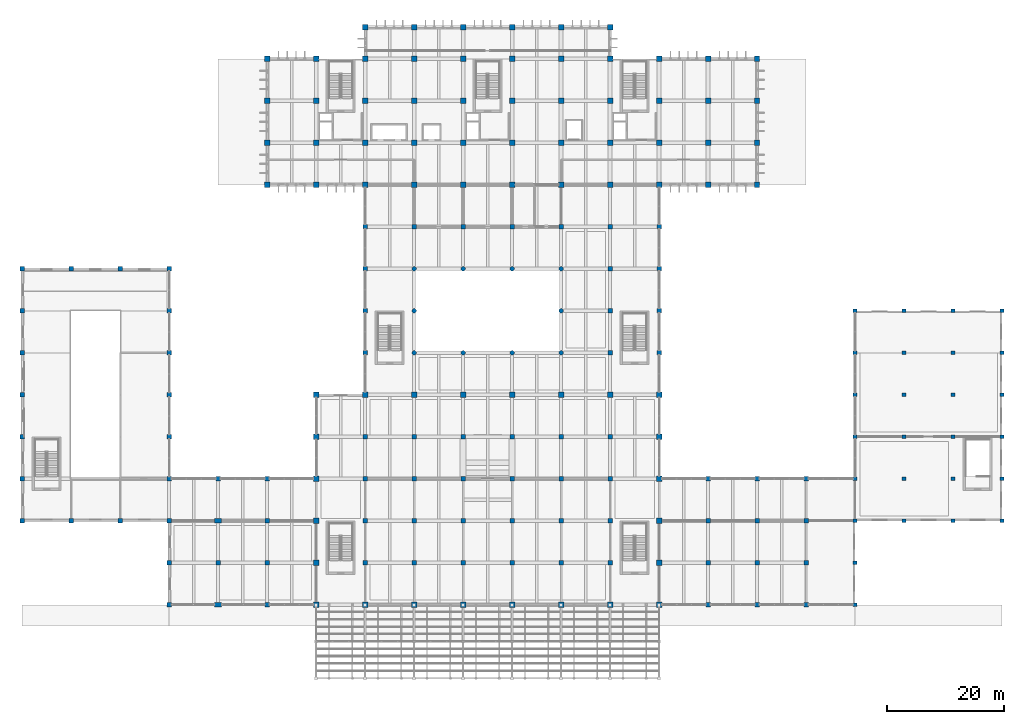
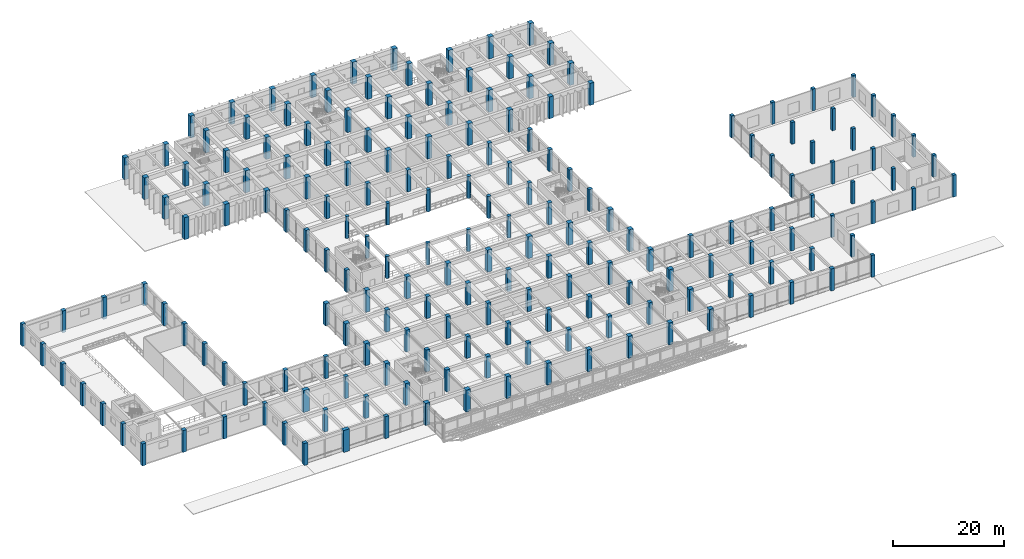
# One storey, part 1 of 52: 190 columns.
"""IFC4 building model written with IfcOpenShell, lengths in metres."""

from ifc_helpers import new_model, si_unit, direction, frame, origin, origin_2d, place, context, subcontext, project, spatial, rectangle, circle, extrude, material, material_profile, profile_set, type_object, element, save


model = new_model("IFC4")

# Units and contexts
model_context = context("Model", 3, precision=1e-05, world=origin(), true_north=direction((0.0, 1.0)))
body_context = subcontext(model_context, "Body", "Model", "MODEL_VIEW")
ifc_project = project(units=[si_unit("LENGTHUNIT", "METRE"), si_unit("AREAUNIT", "SQUARE_METRE"), si_unit("VOLUMEUNIT", "CUBIC_METRE"), si_unit("PLANEANGLEUNIT", "RADIAN"), si_unit("MASSUNIT", "GRAM", prefix="KILO")], contexts=[model_context])

# Site, building, storey
site_placement = place(None, origin())
site = spatial("IfcSite", under=ifc_project, at=site_placement, CompositionType="ELEMENT")
building_placement = place(site_placement, origin())
building = spatial("IfcBuilding", under=site, at=building_placement, Name="Kenerak Square Central Library", CompositionType="ELEMENT")
storey_placement = place(building_placement, frame((0.0, 0.0, 4.800048828125)))
storey = spatial("IfcBuildingStorey", under=building, at=storey_placement, Name="L01", CompositionType="ELEMENT", Elevation=4.800048828125)

# Columns
ifc_material_1 = material(Name="Concrete C40/50", Category="concrete")
ifc_material_profile_1 = material_profile(ifc_material_1, circle(Radius=0.375, at=origin_2d()), Name="RC D750")
ifc_profile_set_1 = profile_set([ifc_material_profile_1], Name="Concrete C40/50")
column_type_1 = type_object("IfcColumnType", Name="Atrium Column C-13 RC D750 C40/50", PredefinedType="COLUMN", material=ifc_profile_set_1)
for number, where, z_axis, x_axis, name in (
    (1, (75.199951171875, 60.0, 0.0), (0.0, 0.0, 1.0), (1.0, 0.0, 0.0), "Column C-13 L01 9/J"),
    (2, (75.199951171875, 67.199951171875, 0.0), (0.0, 0.0, 1.0), (1.0, 0.0, 0.0), "Column C-13 L01 9/K"),
    (3, (75.199951171875, 74.39990234375, 0.0), (0.0, 0.0, 1.0), (1.0, 0.0, 0.0), "Column C-13 L01 9/L"),
    (4, (83.60009765625, 60.0, 0.0), (0.0, 0.0, 1.0), (1.0, 0.0, 0.0), "Column C-13 L01 10/J"),
    (5, (83.60009765625, 74.39990234375, 0.0), (0.0, 0.0, 1.0), (1.0, 0.0, 0.0), "Column C-13 L01 10/L"),
    (6, (92.0, 60.0, 0.0), (0.0, 0.0, 1.0), (1.0, 0.0, 0.0), "Column C-13 L01 11/J"),
    (7, (92.0, 74.39990234375, 0.0), (0.0, 0.0, 1.0), (1.0, 0.0, 0.0), "Column C-13 L01 11/L"),
    (8, (100.39990234375, 60.0, 0.0), (0.0, 0.0, 1.0), (1.0, 0.0, 0.0), "Column C-13 L01 12/J"),
    (9, (100.39990234375, 67.199951171875, 0.0), (0.0, 0.0, 1.0), (1.0, 0.0, 0.0), "Column C-13 L01 12/K"),
    (10, (100.39990234375, 74.39990234375, 0.0), (0.0, 0.0, 1.0), (1.0, 0.0, 0.0), "Column C-13 L01 12/L"),
):
    element("IfcColumn", number, at=place(storey_placement, frame(where, z_axis=z_axis, x_axis=x_axis)), inside=storey, type_object=column_type_1, Name=name, PredefinedType="COLUMN", context=body_context, shape_type="SweptSolid", body=[
        extrude(circle(Radius=0.375, at=origin_2d()), origin(), (0.0, 0.0, 1.0), 4.800048828125),
    ])
ifc_material_2 = material(Name="Concrete C45/55", Category="concrete")
ifc_material_profile_2 = material_profile(ifc_material_2, rectangle(XDim=0.89990234375, YDim=0.89990234375, at=origin_2d()), Name="RC 900x900")
ifc_profile_set_2 = profile_set([ifc_material_profile_2], Name="Concrete C45/55")
column_type_2 = type_object("IfcColumnType", Name="Column C-02 RC 900x900 C45/55", PredefinedType="COLUMN", material=ifc_profile_set_2)
for number, where, z_axis, x_axis, name in (
    (11, (50.0, 88.800048828125, 0.0), (0.0, 0.0, 1.0), (1.0, 0.0, 0.0), "Column C-02 L01 6/N"),
    (12, (50.0, 96.0, 0.0), (0.0, 0.0, 1.0), (1.0, 0.0, 0.0), "Column C-02 L01 6/P"),
    (13, (50.0, 103.199951171875, 0.0), (0.0, 0.0, 1.0), (1.0, 0.0, 0.0), "Column C-02 L01 6/Q"),
    (14, (50.0, 110.39990234375, 0.0), (0.0, 0.0, 1.0), (1.0, 0.0, 0.0), "Column C-02 L01 6/R"),
    (15, (58.39990234375, 16.800048828125, 0.0), (0.0, 0.0, 1.0), (1.0, 0.0, 0.0), "Column C-02 L01 7/C"),
    (16, (58.39990234375, 24.0, 0.0), (0.0, 0.0, 1.0), (1.0, 0.0, 0.0), "Column C-02 L01 7/D"),
    (17, (58.39990234375, 31.199951171875, 0.0), (0.0, 0.0, 1.0), (1.0, 0.0, 0.0), "Column C-02 L01 7/E"),
    (18, (58.39990234375, 38.39990234375, 0.0), (0.0, 0.0, 1.0), (1.0, 0.0, 0.0), "Column C-02 L01 7/F"),
    (19, (58.39990234375, 45.60009765625, 0.0), (0.0, 0.0, 1.0), (1.0, 0.0, 0.0), "Column C-02 L01 7/G"),
    (20, (58.39990234375, 52.800048828125, 0.0), (0.0, 0.0, 1.0), (1.0, 0.0, 0.0), "Column C-02 L01 7/H"),
    (21, (58.39990234375, 88.800048828125, 0.0), (0.0, 0.0, 1.0), (1.0, 0.0, 0.0), "Column C-02 L01 7/N"),
    (22, (58.39990234375, 96.0, 0.0), (0.0, 0.0, 1.0), (1.0, 0.0, 0.0), "Column C-02 L01 7/P"),
    (23, (58.39990234375, 103.199951171875, 0.0), (0.0, 0.0, 1.0), (1.0, 0.0, 0.0), "Column C-02 L01 7/Q"),
    (24, (58.39990234375, 110.39990234375, 0.0), (0.0, 0.0, 1.0), (1.0, 0.0, 0.0), "Column C-02 L01 7/R"),
    (25, (66.800048828125, 16.800048828125, 0.0), (0.0, 0.0, 1.0), (1.0, 0.0, 0.0), "Column C-02 L01 8/C"),
    (26, (66.800048828125, 52.800048828125, 0.0), (0.0, 0.0, 1.0), (1.0, 0.0, 0.0), "Column C-02 L01 8/H"),
    (27, (66.800048828125, 88.800048828125, 0.0), (0.0, 0.0, 1.0), (1.0, 0.0, 0.0), "Column C-02 L01 8/N"),
    (28, (66.800048828125, 96.0, 0.0), (0.0, 0.0, 1.0), (1.0, 0.0, 0.0), "Column C-02 L01 8/P"),
    (29, (66.800048828125, 103.199951171875, 0.0), (0.0, 0.0, 1.0), (1.0, 0.0, 0.0), "Column C-02 L01 8/Q"),
    (30, (66.800048828125, 110.39990234375, 0.0), (0.0, 0.0, 1.0), (1.0, 0.0, 0.0), "Column C-02 L01 8/R"),
    (31, (66.800048828125, 115.800048828125, 0.0), (0.0, 0.0, 1.0), (1.0, 0.0, 0.0), "Column C-02 L01 8/S"),
    (32, (75.199951171875, 16.800048828125, 0.0), (0.0, 0.0, 1.0), (1.0, 0.0, 0.0), "Column C-02 L01 9/C"),
    (33, (75.199951171875, 52.800048828125, 0.0), (0.0, 0.0, 1.0), (1.0, 0.0, 0.0), "Column C-02 L01 9/H"),
    (34, (75.199951171875, 88.800048828125, 0.0), (0.0, 0.0, 1.0), (1.0, 0.0, 0.0), "Column C-02 L01 9/N"),
    (35, (75.199951171875, 96.0, 0.0), (0.0, 0.0, 1.0), (1.0, 0.0, 0.0), "Column C-02 L01 9/P"),
    (36, (75.199951171875, 103.199951171875, 0.0), (0.0, 0.0, 1.0), (1.0, 0.0, 0.0), "Column C-02 L01 9/Q"),
    (37, (75.199951171875, 110.39990234375, 0.0), (0.0, 0.0, 1.0), (1.0, 0.0, 0.0), "Column C-02 L01 9/R"),
    (38, (75.199951171875, 115.800048828125, 0.0), (0.0, 0.0, 1.0), (1.0, 0.0, 0.0), "Column C-02 L01 9/S"),
    (39, (83.60009765625, 16.800048828125, 0.0), (0.0, 0.0, 1.0), (1.0, 0.0, 0.0), "Column C-02 L01 10/C"),
    (40, (83.60009765625, 52.800048828125, 0.0), (0.0, 0.0, 1.0), (1.0, 0.0, 0.0), "Column C-02 L01 10/H"),
    (41, (83.60009765625, 88.800048828125, 0.0), (0.0, 0.0, 1.0), (1.0, 0.0, 0.0), "Column C-02 L01 10/N"),
    (42, (83.60009765625, 96.0, 0.0), (0.0, 0.0, 1.0), (1.0, 0.0, 0.0), "Column C-02 L01 10/P"),
    (43, (83.60009765625, 103.199951171875, 0.0), (0.0, 0.0, 1.0), (1.0, 0.0, 0.0), "Column C-02 L01 10/Q"),
    (44, (83.60009765625, 110.39990234375, 0.0), (0.0, 0.0, 1.0), (1.0, 0.0, 0.0), "Column C-02 L01 10/R"),
    (45, (83.60009765625, 115.800048828125, 0.0), (0.0, 0.0, 1.0), (1.0, 0.0, 0.0), "Column C-02 L01 10/S"),
    (46, (92.0, 16.800048828125, 0.0), (0.0, 0.0, 1.0), (1.0, 0.0, 0.0), "Column C-02 L01 11/C"),
    (47, (92.0, 52.800048828125, 0.0), (0.0, 0.0, 1.0), (1.0, 0.0, 0.0), "Column C-02 L01 11/H"),
    (48, (92.0, 88.800048828125, 0.0), (0.0, 0.0, 1.0), (1.0, 0.0, 0.0), "Column C-02 L01 11/N"),
    (49, (92.0, 96.0, 0.0), (0.0, 0.0, 1.0), (1.0, 0.0, 0.0), "Column C-02 L01 11/P"),
    (50, (92.0, 103.199951171875, 0.0), (0.0, 0.0, 1.0), (1.0, 0.0, 0.0), "Column C-02 L01 11/Q"),
    (51, (92.0, 110.39990234375, 0.0), (0.0, 0.0, 1.0), (1.0, 0.0, 0.0), "Column C-02 L01 11/R"),
    (52, (92.0, 115.800048828125, 0.0), (0.0, 0.0, 1.0), (1.0, 0.0, 0.0), "Column C-02 L01 11/S"),
    (53, (100.39990234375, 16.800048828125, 0.0), (0.0, 0.0, 1.0), (1.0, 0.0, 0.0), "Column C-02 L01 12/C"),
    (54, (100.39990234375, 52.800048828125, 0.0), (0.0, 0.0, 1.0), (1.0, 0.0, 0.0), "Column C-02 L01 12/H"),
    (55, (100.39990234375, 88.800048828125, 0.0), (0.0, 0.0, 1.0), (1.0, 0.0, 0.0), "Column C-02 L01 12/N"),
    (56, (100.39990234375, 96.0, 0.0), (0.0, 0.0, 1.0), (1.0, 0.0, 0.0), "Column C-02 L01 12/P"),
    (57, (100.39990234375, 103.199951171875, 0.0), (0.0, 0.0, 1.0), (1.0, 0.0, 0.0), "Column C-02 L01 12/Q"),
    (58, (100.39990234375, 110.39990234375, 0.0), (0.0, 0.0, 1.0), (1.0, 0.0, 0.0), "Column C-02 L01 12/R"),
    (59, (100.39990234375, 115.800048828125, 0.0), (0.0, 0.0, 1.0), (1.0, 0.0, 0.0), "Column C-02 L01 12/S"),
    (60, (108.800048828125, 16.800048828125, 0.0), (0.0, 0.0, 1.0), (1.0, 0.0, 0.0), "Column C-02 L01 13/C"),
    (61, (108.800048828125, 52.800048828125, 0.0), (0.0, 0.0, 1.0), (1.0, 0.0, 0.0), "Column C-02 L01 13/H"),
    (62, (108.800048828125, 88.800048828125, 0.0), (0.0, 0.0, 1.0), (1.0, 0.0, 0.0), "Column C-02 L01 13/N"),
    (63, (108.800048828125, 96.0, 0.0), (0.0, 0.0, 1.0), (1.0, 0.0, 0.0), "Column C-02 L01 13/P"),
    (64, (108.800048828125, 103.199951171875, 0.0), (0.0, 0.0, 1.0), (1.0, 0.0, 0.0), "Column C-02 L01 13/Q"),
    (65, (108.800048828125, 110.39990234375, 0.0), (0.0, 0.0, 1.0), (1.0, 0.0, 0.0), "Column C-02 L01 13/R"),
    (66, (108.800048828125, 115.800048828125, 0.0), (0.0, 0.0, 1.0), (1.0, 0.0, 0.0), "Column C-02 L01 13/S"),
    (67, (117.199951171875, 16.800048828125, 0.0), (0.0, 0.0, 1.0), (1.0, 0.0, 0.0), "Column C-02 L01 14/C"),
    (68, (117.199951171875, 24.0, 0.0), (0.0, 0.0, 1.0), (1.0, 0.0, 0.0), "Column C-02 L01 14/D"),
    (69, (117.199951171875, 31.199951171875, 0.0), (0.0, 0.0, 1.0), (1.0, 0.0, 0.0), "Column C-02 L01 14/E"),
    (70, (117.199951171875, 38.39990234375, 0.0), (0.0, 0.0, 1.0), (1.0, 0.0, 0.0), "Column C-02 L01 14/F"),
    (71, (117.199951171875, 45.60009765625, 0.0), (0.0, 0.0, 1.0), (1.0, 0.0, 0.0), "Column C-02 L01 14/G"),
    (72, (117.199951171875, 52.800048828125, 0.0), (0.0, 0.0, 1.0), (1.0, 0.0, 0.0), "Column C-02 L01 14/H"),
    (73, (117.199951171875, 88.800048828125, 0.0), (0.0, 0.0, 1.0), (1.0, 0.0, 0.0), "Column C-02 L01 14/N"),
    (74, (117.199951171875, 96.0, 0.0), (0.0, 0.0, 1.0), (1.0, 0.0, 0.0), "Column C-02 L01 14/P"),
    (75, (117.199951171875, 103.199951171875, 0.0), (0.0, 0.0, 1.0), (1.0, 0.0, 0.0), "Column C-02 L01 14/Q"),
    (76, (117.199951171875, 110.39990234375, 0.0), (0.0, 0.0, 1.0), (1.0, 0.0, 0.0), "Column C-02 L01 14/R"),
    (77, (125.60009765625, 88.800048828125, 0.0), (0.0, 0.0, 1.0), (1.0, 0.0, 0.0), "Column C-02 L01 15/N"),
    (78, (125.60009765625, 96.0, 0.0), (0.0, 0.0, 1.0), (1.0, 0.0, 0.0), "Column C-02 L01 15/P"),
    (79, (125.60009765625, 103.199951171875, 0.0), (0.0, 0.0, 1.0), (1.0, 0.0, 0.0), "Column C-02 L01 15/Q"),
    (80, (125.60009765625, 110.39990234375, 0.0), (0.0, 0.0, 1.0), (1.0, 0.0, 0.0), "Column C-02 L01 15/R"),
    (81, (134.0, 88.800048828125, 0.0), (0.0, 0.0, 1.0), (1.0, 0.0, 0.0), "Column C-02 L01 16/N"),
    (82, (134.0, 96.0, 0.0), (0.0, 0.0, 1.0), (1.0, 0.0, 0.0), "Column C-02 L01 16/P"),
    (83, (134.0, 103.199951171875, 0.0), (0.0, 0.0, 1.0), (1.0, 0.0, 0.0), "Column C-02 L01 16/Q"),
    (84, (134.0, 110.39990234375, 0.0), (0.0, 0.0, 1.0), (1.0, 0.0, 0.0), "Column C-02 L01 16/R"),
):
    element("IfcColumn", number, at=place(storey_placement, frame(where, z_axis=z_axis, x_axis=x_axis)), inside=storey, type_object=column_type_2, Name=name, PredefinedType="COLUMN", context=body_context, shape_type="SweptSolid", body=[
        extrude(rectangle(XDim=0.89990234375, YDim=0.89990234375, at=origin_2d()), origin(), (0.0, 0.0, 1.0), 4.800048828125),
    ])
ifc_material_profile_3 = material_profile(ifc_material_2, rectangle(XDim=0.800048828125, YDim=0.800048828125, at=origin_2d()), Name="RC 800x800")
ifc_profile_set_3 = profile_set([ifc_material_profile_3], Name="Concrete C45/55")
column_type_3 = type_object("IfcColumnType", Name="Column C-04 RC 800x800 C45/55", PredefinedType="COLUMN", material=ifc_profile_set_3)
for number, where, z_axis, x_axis, name in (
    (85, (66.800048828125, 24.0, 0.0), (0.0, 0.0, 1.0), (1.0, 0.0, 0.0), "Column C-04 L01 8/D"),
    (86, (66.800048828125, 31.199951171875, 0.0), (0.0, 0.0, 1.0), (1.0, 0.0, 0.0), "Column C-04 L01 8/E"),
    (87, (66.800048828125, 38.39990234375, 0.0), (0.0, 0.0, 1.0), (1.0, 0.0, 0.0), "Column C-04 L01 8/F"),
    (88, (66.800048828125, 45.60009765625, 0.0), (0.0, 0.0, 1.0), (1.0, 0.0, 0.0), "Column C-04 L01 8/G"),
    (89, (75.199951171875, 24.0, 0.0), (0.0, 0.0, 1.0), (1.0, 0.0, 0.0), "Column C-04 L01 9/D"),
    (90, (75.199951171875, 31.199951171875, 0.0), (0.0, 0.0, 1.0), (1.0, 0.0, 0.0), "Column C-04 L01 9/E"),
    (91, (75.199951171875, 38.39990234375, 0.0), (0.0, 0.0, 1.0), (1.0, 0.0, 0.0), "Column C-04 L01 9/F"),
    (92, (75.199951171875, 45.60009765625, 0.0), (0.0, 0.0, 1.0), (1.0, 0.0, 0.0), "Column C-04 L01 9/G"),
    (93, (83.60009765625, 24.0, 0.0), (0.0, 0.0, 1.0), (1.0, 0.0, 0.0), "Column C-04 L01 10/D"),
    (94, (83.60009765625, 31.199951171875, 0.0), (0.0, 0.0, 1.0), (1.0, 0.0, 0.0), "Column C-04 L01 10/E"),
    (95, (83.60009765625, 38.39990234375, 0.0), (0.0, 0.0, 1.0), (1.0, 0.0, 0.0), "Column C-04 L01 10/F"),
    (96, (83.60009765625, 45.60009765625, 0.0), (0.0, 0.0, 1.0), (1.0, 0.0, 0.0), "Column C-04 L01 10/G"),
    (97, (92.0, 24.0, 0.0), (0.0, 0.0, 1.0), (1.0, 0.0, 0.0), "Column C-04 L01 11/D"),
    (98, (92.0, 31.199951171875, 0.0), (0.0, 0.0, 1.0), (1.0, 0.0, 0.0), "Column C-04 L01 11/E"),
    (99, (92.0, 38.39990234375, 0.0), (0.0, 0.0, 1.0), (1.0, 0.0, 0.0), "Column C-04 L01 11/F"),
    (100, (92.0, 45.60009765625, 0.0), (0.0, 0.0, 1.0), (1.0, 0.0, 0.0), "Column C-04 L01 11/G"),
    (101, (100.39990234375, 24.0, 0.0), (0.0, 0.0, 1.0), (1.0, 0.0, 0.0), "Column C-04 L01 12/D"),
    (102, (100.39990234375, 31.199951171875, 0.0), (0.0, 0.0, 1.0), (1.0, 0.0, 0.0), "Column C-04 L01 12/E"),
    (103, (100.39990234375, 38.39990234375, 0.0), (0.0, 0.0, 1.0), (1.0, 0.0, 0.0), "Column C-04 L01 12/F"),
    (104, (100.39990234375, 45.60009765625, 0.0), (0.0, 0.0, 1.0), (1.0, 0.0, 0.0), "Column C-04 L01 12/G"),
    (105, (108.800048828125, 24.0, 0.0), (0.0, 0.0, 1.0), (1.0, 0.0, 0.0), "Column C-04 L01 13/D"),
    (106, (108.800048828125, 31.199951171875, 0.0), (0.0, 0.0, 1.0), (1.0, 0.0, 0.0), "Column C-04 L01 13/E"),
    (107, (108.800048828125, 38.39990234375, 0.0), (0.0, 0.0, 1.0), (1.0, 0.0, 0.0), "Column C-04 L01 13/F"),
    (108, (108.800048828125, 45.60009765625, 0.0), (0.0, 0.0, 1.0), (1.0, 0.0, 0.0), "Column C-04 L01 13/G"),
):
    element("IfcColumn", number, at=place(storey_placement, frame(where, z_axis=z_axis, x_axis=x_axis)), inside=storey, type_object=column_type_3, Name=name, PredefinedType="COLUMN", context=body_context, shape_type="SweptSolid", body=[
        extrude(rectangle(XDim=0.800048828125, YDim=0.800048828125, at=origin_2d()), origin(), (0.0, 0.0, 1.0), 4.800048828125),
    ])
ifc_material_profile_4 = material_profile(ifc_material_1, rectangle(XDim=0.75, YDim=0.75, at=origin_2d()), Name="RC 750x750")
ifc_profile_set_4 = profile_set([ifc_material_profile_4], Name="Concrete C40/50")
column_type_4 = type_object("IfcColumnType", Name="Column C-05 RC 750x750 C40/50", PredefinedType="COLUMN", material=ifc_profile_set_4)
for number, where, z_axis, x_axis, name in (
    (109, (8.0, 31.199951171875, 0.0), (0.0, 0.0, 1.0), (1.0, 0.0, 0.0), "Column C-05 L01 1/E"),
    (110, (8.0, 38.39990234375, 0.0), (0.0, 0.0, 1.0), (1.0, 0.0, 0.0), "Column C-05 L01 1/F"),
    (111, (8.0, 45.60009765625, 0.0), (0.0, 0.0, 1.0), (1.0, 0.0, 0.0), "Column C-05 L01 1/G"),
    (112, (8.0, 52.800048828125, 0.0), (0.0, 0.0, 1.0), (1.0, 0.0, 0.0), "Column C-05 L01 1/H"),
    (113, (8.0, 60.0, 0.0), (0.0, 0.0, 1.0), (1.0, 0.0, 0.0), "Column C-05 L01 1/J"),
    (114, (8.0, 67.199951171875, 0.0), (0.0, 0.0, 1.0), (1.0, 0.0, 0.0), "Column C-05 L01 1/K"),
    (115, (8.0, 74.39990234375, 0.0), (0.0, 0.0, 1.0), (1.0, 0.0, 0.0), "Column C-05 L01 1/L"),
    (116, (16.39990234375, 31.199951171875, 0.0), (0.0, 0.0, 1.0), (1.0, 0.0, 0.0), "Column C-05 L01 2/E"),
    (117, (16.39990234375, 74.39990234375, 0.0), (0.0, 0.0, 1.0), (1.0, 0.0, 0.0), "Column C-05 L01 2/L"),
    (118, (24.800048828125, 31.199951171875, 0.0), (0.0, 0.0, 1.0), (1.0, 0.0, 0.0), "Column C-05 L01 3/E"),
    (119, (24.800048828125, 74.39990234375, 0.0), (0.0, 0.0, 1.0), (1.0, 0.0, 0.0), "Column C-05 L01 3/L"),
    (120, (33.199951171875, 16.800048828125, 0.0), (0.0, 0.0, 1.0), (1.0, 0.0, 0.0), "Column C-05 L01 4/C"),
    (121, (33.199951171875, 24.0, 0.0), (0.0, 0.0, 1.0), (1.0, 0.0, 0.0), "Column C-05 L01 4/D"),
    (122, (33.199951171875, 31.199951171875, 0.0), (0.0, 0.0, 1.0), (1.0, 0.0, 0.0), "Column C-05 L01 4/E"),
    (123, (33.199951171875, 38.39990234375, 0.0), (0.0, 0.0, 1.0), (1.0, 0.0, 0.0), "Column C-05 L01 4/F"),
    (124, (33.199951171875, 45.60009765625, 0.0), (0.0, 0.0, 1.0), (1.0, 0.0, 0.0), "Column C-05 L01 4/G"),
    (125, (33.199951171875, 52.800048828125, 0.0), (0.0, 0.0, 1.0), (1.0, 0.0, 0.0), "Column C-05 L01 4/H"),
    (126, (33.199951171875, 60.0, 0.0), (0.0, 0.0, 1.0), (1.0, 0.0, 0.0), "Column C-05 L01 4/J"),
    (127, (33.199951171875, 67.199951171875, 0.0), (0.0, 0.0, 1.0), (1.0, 0.0, 0.0), "Column C-05 L01 4/K"),
    (128, (33.199951171875, 74.39990234375, 0.0), (0.0, 0.0, 1.0), (1.0, 0.0, 0.0), "Column C-05 L01 4/L"),
    (129, (41.60009765625, 24.0, 0.0), (0.0, 0.0, 1.0), (1.0, 0.0, 0.0), "Column C-05 L01 5/D"),
    (130, (41.60009765625, 38.39990234375, 0.0), (0.0, 0.0, 1.0), (1.0, 0.0, 0.0), "Column C-05 L01 5/F"),
    (131, (50.0, 16.800048828125, 0.0), (0.0, 0.0, 1.0), (1.0, 0.0, 0.0), "Column C-05 L01 6/C"),
    (132, (50.0, 24.0, 0.0), (0.0, 0.0, 1.0), (1.0, 0.0, 0.0), "Column C-05 L01 6/D"),
    (133, (50.0, 31.199951171875, 0.0), (0.0, 0.0, 1.0), (1.0, 0.0, 0.0), "Column C-05 L01 6/E"),
    (134, (50.0, 38.39990234375, 0.0), (0.0, 0.0, 1.0), (1.0, 0.0, 0.0), "Column C-05 L01 6/F"),
    (135, (66.800048828125, 60.0, 0.0), (0.0, 0.0, 1.0), (1.0, 0.0, 0.0), "Column C-05 L01 8/J"),
    (136, (66.800048828125, 67.199951171875, 0.0), (0.0, 0.0, 1.0), (1.0, 0.0, 0.0), "Column C-05 L01 8/K"),
    (137, (66.800048828125, 74.39990234375, 0.0), (0.0, 0.0, 1.0), (1.0, 0.0, 0.0), "Column C-05 L01 8/L"),
    (138, (66.800048828125, 81.60009765625, 0.0), (0.0, 0.0, 1.0), (1.0, 0.0, 0.0), "Column C-05 L01 8/M"),
    (139, (75.199951171875, 81.60009765625, 0.0), (0.0, 0.0, 1.0), (1.0, 0.0, 0.0), "Column C-05 L01 9/M"),
    (140, (83.60009765625, 81.60009765625, 0.0), (0.0, 0.0, 1.0), (1.0, 0.0, 0.0), "Column C-05 L01 10/M"),
    (141, (92.0, 81.60009765625, 0.0), (0.0, 0.0, 1.0), (1.0, 0.0, 0.0), "Column C-05 L01 11/M"),
    (142, (100.39990234375, 81.60009765625, 0.0), (0.0, 0.0, 1.0), (1.0, 0.0, 0.0), "Column C-05 L01 12/M"),
    (143, (108.800048828125, 60.0, 0.0), (0.0, 0.0, 1.0), (1.0, 0.0, 0.0), "Column C-05 L01 13/J"),
    (144, (108.800048828125, 67.199951171875, 0.0), (0.0, 0.0, 1.0), (1.0, 0.0, 0.0), "Column C-05 L01 13/K"),
    (145, (108.800048828125, 74.39990234375, 0.0), (0.0, 0.0, 1.0), (1.0, 0.0, 0.0), "Column C-05 L01 13/L"),
    (146, (108.800048828125, 81.60009765625, 0.0), (0.0, 0.0, 1.0), (1.0, 0.0, 0.0), "Column C-05 L01 13/M"),
    (147, (117.199951171875, 60.0, 0.0), (0.0, 0.0, 1.0), (1.0, 0.0, 0.0), "Column C-05 L01 14/J"),
    (148, (117.199951171875, 67.199951171875, 0.0), (0.0, 0.0, 1.0), (1.0, 0.0, 0.0), "Column C-05 L01 14/K"),
    (149, (117.199951171875, 74.39990234375, 0.0), (0.0, 0.0, 1.0), (1.0, 0.0, 0.0), "Column C-05 L01 14/L"),
    (150, (117.199951171875, 81.60009765625, 0.0), (0.0, 0.0, 1.0), (1.0, 0.0, 0.0), "Column C-05 L01 14/M"),
    (151, (125.60009765625, 16.800048828125, 0.0), (0.0, 0.0, 1.0), (1.0, 0.0, 0.0), "Column C-05 L01 15/C"),
    (152, (125.60009765625, 24.0, 0.0), (0.0, 0.0, 1.0), (1.0, 0.0, 0.0), "Column C-05 L01 15/D"),
    (153, (125.60009765625, 31.199951171875, 0.0), (0.0, 0.0, 1.0), (1.0, 0.0, 0.0), "Column C-05 L01 15/E"),
    (154, (125.60009765625, 38.39990234375, 0.0), (0.0, 0.0, 1.0), (1.0, 0.0, 0.0), "Column C-05 L01 15/F"),
    (155, (134.0, 16.800048828125, 0.0), (0.0, 0.0, 1.0), (1.0, 0.0, 0.0), "Column C-05 L01 16/C"),
    (156, (134.0, 24.0, 0.0), (0.0, 0.0, 1.0), (1.0, 0.0, 0.0), "Column C-05 L01 16/D"),
    (157, (134.0, 31.199951171875, 0.0), (0.0, 0.0, 1.0), (1.0, 0.0, 0.0), "Column C-05 L01 16/E"),
    (158, (134.0, 38.39990234375, 0.0), (0.0, 0.0, 1.0), (1.0, 0.0, 0.0), "Column C-05 L01 16/F"),
    (159, (142.39990234375, 16.800048828125, 0.0), (0.0, 0.0, 1.0), (1.0, 0.0, 0.0), "Column C-05 L01 17/C"),
    (160, (142.39990234375, 24.0, 0.0), (0.0, 0.0, 1.0), (1.0, 0.0, 0.0), "Column C-05 L01 17/D"),
    (161, (142.39990234375, 31.199951171875, 0.0), (0.0, 0.0, 1.0), (1.0, 0.0, 0.0), "Column C-05 L01 17/E"),
    (162, (142.39990234375, 38.39990234375, 0.0), (0.0, 0.0, 1.0), (1.0, 0.0, 0.0), "Column C-05 L01 17/F"),
):
    element("IfcColumn", number, at=place(storey_placement, frame(where, z_axis=z_axis, x_axis=x_axis)), inside=storey, type_object=column_type_4, Name=name, PredefinedType="COLUMN", context=body_context, shape_type="SweptSolid", body=[
        extrude(rectangle(XDim=0.75, YDim=0.75, at=origin_2d()), origin(), (0.0, 0.0, 1.0), 4.800048828125),
    ])
ifc_material_profile_5 = material_profile(ifc_material_1, rectangle(XDim=0.64990234375, YDim=0.64990234375, at=origin_2d()), Name="RC 650x650")
ifc_profile_set_5 = profile_set([ifc_material_profile_5], Name="Concrete C40/50")
column_type_5 = type_object("IfcColumnType", Name="Column C-07 RC 650x650 C40/50", PredefinedType="COLUMN", material=ifc_profile_set_5)
for number, where, z_axis, x_axis, name in (
    (163, (150.800048828125, 16.800048828125, 0.0), (0.0, 0.0, 1.0), (1.0, 0.0, 0.0), "Column C-07 L01 18/C"),
    (164, (150.800048828125, 24.0, 0.0), (0.0, 0.0, 1.0), (1.0, 0.0, 0.0), "Column C-07 L01 18/D"),
    (165, (150.800048828125, 31.199951171875, 0.0), (0.0, 0.0, 1.0), (1.0, 0.0, 0.0), "Column C-07 L01 18/E"),
    (166, (150.800048828125, 38.39990234375, 0.0), (0.0, 0.0, 1.0), (1.0, 0.0, 0.0), "Column C-07 L01 18/F"),
    (167, (150.800048828125, 45.60009765625, 0.0), (0.0, 0.0, 1.0), (1.0, 0.0, 0.0), "Column C-07 L01 18/G"),
    (168, (150.800048828125, 52.800048828125, 0.0), (0.0, 0.0, 1.0), (1.0, 0.0, 0.0), "Column C-07 L01 18/H"),
    (169, (150.800048828125, 60.0, 0.0), (0.0, 0.0, 1.0), (1.0, 0.0, 0.0), "Column C-07 L01 18/J"),
    (170, (150.800048828125, 67.199951171875, 0.0), (0.0, 0.0, 1.0), (1.0, 0.0, 0.0), "Column C-07 L01 18/K"),
    (171, (159.199951171875, 31.199951171875, 0.0), (0.0, 0.0, 1.0), (1.0, 0.0, 0.0), "Column C-07 L01 19/E"),
    (172, (159.199951171875, 38.39990234375, 0.0), (0.0, 0.0, 1.0), (1.0, 0.0, 0.0), "Column C-07 L01 19/F"),
    (173, (159.199951171875, 45.60009765625, 0.0), (0.0, 0.0, 1.0), (1.0, 0.0, 0.0), "Column C-07 L01 19/G"),
    (174, (159.199951171875, 52.800048828125, 0.0), (0.0, 0.0, 1.0), (1.0, 0.0, 0.0), "Column C-07 L01 19/H"),
    (175, (159.199951171875, 60.0, 0.0), (0.0, 0.0, 1.0), (1.0, 0.0, 0.0), "Column C-07 L01 19/J"),
    (176, (159.199951171875, 67.199951171875, 0.0), (0.0, 0.0, 1.0), (1.0, 0.0, 0.0), "Column C-07 L01 19/K"),
    (177, (167.60009765625, 31.199951171875, 0.0), (0.0, 0.0, 1.0), (1.0, 0.0, 0.0), "Column C-07 L01 20/E"),
    (178, (167.60009765625, 38.39990234375, 0.0), (0.0, 0.0, 1.0), (1.0, 0.0, 0.0), "Column C-07 L01 20/F"),
    (179, (167.60009765625, 45.60009765625, 0.0), (0.0, 0.0, 1.0), (1.0, 0.0, 0.0), "Column C-07 L01 20/G"),
    (180, (167.60009765625, 52.800048828125, 0.0), (0.0, 0.0, 1.0), (1.0, 0.0, 0.0), "Column C-07 L01 20/H"),
    (181, (167.60009765625, 60.0, 0.0), (0.0, 0.0, 1.0), (1.0, 0.0, 0.0), "Column C-07 L01 20/J"),
    (182, (167.60009765625, 67.199951171875, 0.0), (0.0, 0.0, 1.0), (1.0, 0.0, 0.0), "Column C-07 L01 20/K"),
    (183, (176.0, 31.199951171875, 0.0), (0.0, 0.0, 1.0), (1.0, 0.0, 0.0), "Column C-07 L01 21/E"),
    (184, (176.0, 38.39990234375, 0.0), (0.0, 0.0, 1.0), (1.0, 0.0, 0.0), "Column C-07 L01 21/F"),
    (185, (176.0, 45.60009765625, 0.0), (0.0, 0.0, 1.0), (1.0, 0.0, 0.0), "Column C-07 L01 21/G"),
    (186, (176.0, 52.800048828125, 0.0), (0.0, 0.0, 1.0), (1.0, 0.0, 0.0), "Column C-07 L01 21/H"),
    (187, (176.0, 60.0, 0.0), (0.0, 0.0, 1.0), (1.0, 0.0, 0.0), "Column C-07 L01 21/J"),
    (188, (176.0, 67.199951171875, 0.0), (0.0, 0.0, 1.0), (1.0, 0.0, 0.0), "Column C-07 L01 21/K"),
):
    element("IfcColumn", number, at=place(storey_placement, frame(where, z_axis=z_axis, x_axis=x_axis)), inside=storey, type_object=column_type_5, Name=name, PredefinedType="COLUMN", context=body_context, shape_type="SweptSolid", body=[
        extrude(rectangle(XDim=0.64990234375, YDim=0.64990234375, at=origin_2d()), origin(), (0.0, 0.0, 1.0), 4.800048828125),
    ])
ifc_material_profile_6 = material_profile(ifc_material_2, rectangle(XDim=1.199951171875, YDim=0.800048828125, at=origin_2d()), Name="RC 1200x800")
ifc_profile_set_6 = profile_set([ifc_material_profile_6], Name="Concrete C45/55")
column_type_6 = type_object("IfcColumnType", Name="Column C-10 RC 1200x800 C45/55", PredefinedType="COLUMN", material=ifc_profile_set_6)
for number, where, z_axis, x_axis, name in (
    (189, (41.60009765625, 16.800048828125, 0.0), (0.0, 0.0, 1.0), (1.0, 0.0, 0.0), "Column C-10 L01 5/C"),
    (190, (41.60009765625, 31.199951171875, 0.0), (0.0, 0.0, 1.0), (1.0, 0.0, 0.0), "Column C-10 L01 5/E"),
):
    element("IfcColumn", number, at=place(storey_placement, frame(where, z_axis=z_axis, x_axis=x_axis)), inside=storey, type_object=column_type_6, Name=name, PredefinedType="COLUMN", context=body_context, shape_type="SweptSolid", body=[
        extrude(rectangle(XDim=1.199951171875, YDim=0.800048828125, at=origin_2d()), origin(), (0.0, 0.0, 1.0), 4.800048828125),
    ])

save(model, "model.ifc")
